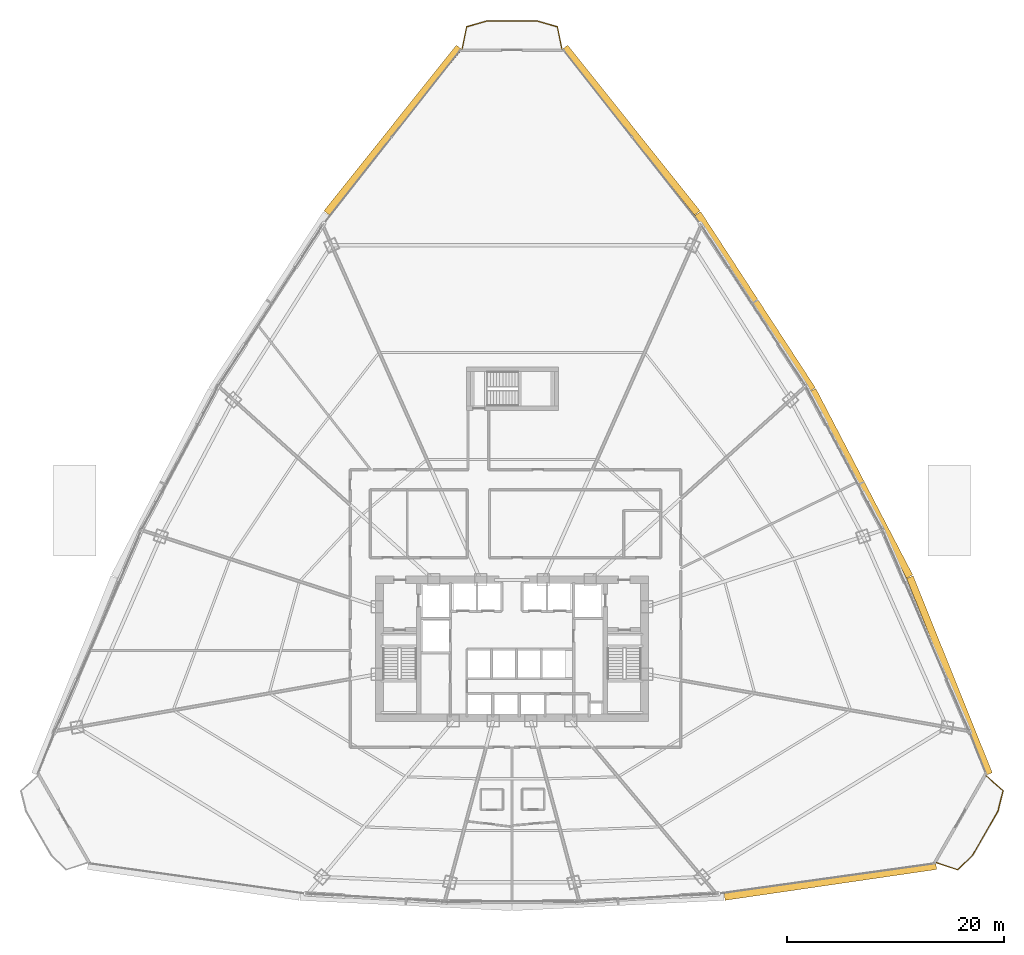
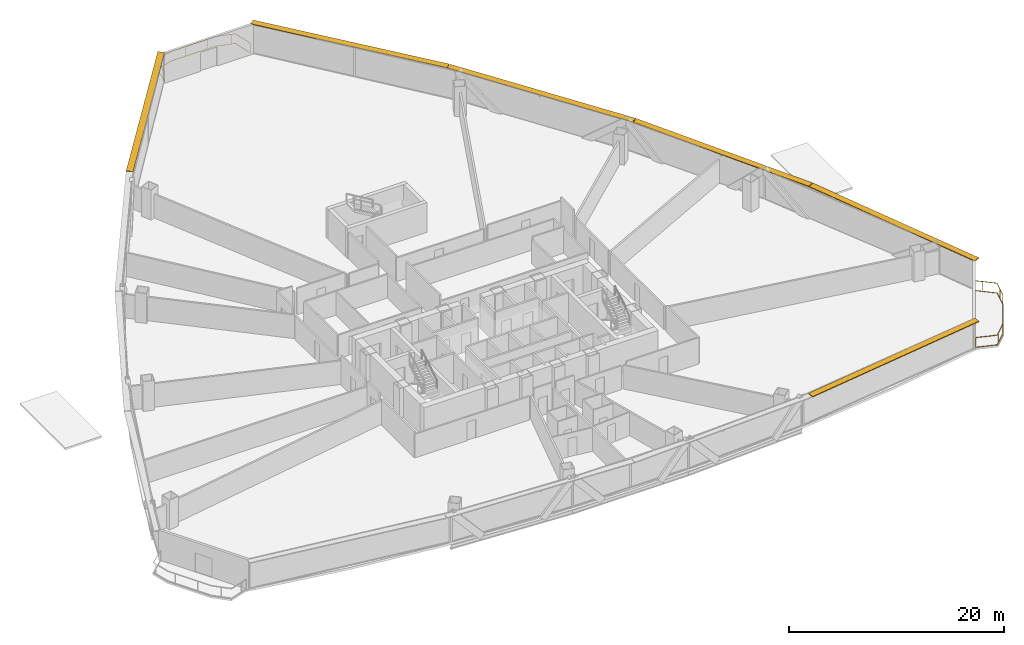
# One storey, part 38 of 38: 6 shading devices, 2 railings.
"""IFC4 building model written with IfcOpenShell, lengths in metres."""

from ifc_helpers import new_model, si_unit, direction, frame, origin, origin_2d, place, context, subcontext, project, spatial, rectangle, extrude, source, transform, mapped, material, layer, layer_set, type_object, element, save


model = new_model("IFC4")

# Units and contexts
model_context = context("Model", 3, precision=1e-05, world=origin(), true_north=direction((0.0, 1.0)))
body_context = subcontext(model_context, "Body", "Model", "MODEL_VIEW")
ifc_project = project(units=[si_unit("LENGTHUNIT", "METRE"), si_unit("AREAUNIT", "SQUARE_METRE"), si_unit("VOLUMEUNIT", "CUBIC_METRE"), si_unit("PLANEANGLEUNIT", "RADIAN"), si_unit("MASSUNIT", "GRAM", prefix="KILO"), si_unit("THERMODYNAMICTEMPERATUREUNIT", "KELVIN"), si_unit("POWERUNIT", "WATT")], contexts=[model_context])

# Site, building, storey
site_placement = place(None, origin())
site = spatial("IfcSite", under=ifc_project, at=site_placement, CompositionType="ELEMENT")
building_placement = place(site_placement, origin())
building = spatial("IfcBuilding", under=site, at=building_placement, Name="Yunzhuo Pagoda Commons", CompositionType="ELEMENT")
storey_placement = place(building_placement, frame((0.0, 0.0, 30.39990234375)))
storey = spatial("IfcBuildingStorey", under=building, at=storey_placement, Name="L07", CompositionType="ELEMENT", Elevation=30.39990234375)

# Railings
ifc_material = material(Name="Anodized aluminium 6063-T6", Category="aluminium")
railing_type = type_object("IfcRailingType", Name="RL-BAL1 Exterior Terrace & Balcony Balustrade 1150", PredefinedType="BALUSTRADE", material=ifc_material)
railing_1_placement = place(storey_placement, frame((87.0849609375, 14.16943359375, 0.0)))
element("IfcRailing", 1, at=railing_1_placement, inside=storey, type_object=railing_type, Name="L07 corner balcony balustrade V2", PredefinedType="BALUSTRADE", context=body_context, shape_type="SweptSolid", body=[
    extrude(rectangle(XDim=0.048095703125, YDim=0.048095703125, at=origin_2d()), frame((0.0, 0.0, 1.1259765625), z_axis=(0.947419062147, -0.319995501031, 0.0), x_axis=(0.319995501031, 0.947419062147, 0.0)), (0.0, 0.0, 1.0), 2.05908203125),
    extrude(rectangle(XDim=0.048095703125, YDim=0.048095703125, at=origin_2d()), frame((0.0, 0.0, 0.02392578125), z_axis=(0.947419062147, -0.319995501031, 0.0), x_axis=(0.319995501031, 0.947419062147, 0.0)), (0.0, 0.0, 1.0), 2.05908203125),
    extrude(rectangle(XDim=0.048095703125, YDim=0.048095703125, at=origin_2d()), frame((1.950927734375, -0.658935546875, 1.1259765625), z_axis=(0.716379924968, 0.697710400598, 0.0), x_axis=(-0.697710400598, 0.716379924968, 0.0)), (0.0, 0.0, 1.0), 1.935302734375),
    extrude(rectangle(XDim=0.048095703125, YDim=0.048095703125, at=origin_2d()), frame((1.950927734375, -0.658935546875, 0.02392578125), z_axis=(0.716379924968, 0.697710400598, 0.0), x_axis=(-0.697710400598, 0.716379924968, 0.0)), (0.0, 0.0, 1.0), 1.935302734375),
    extrude(rectangle(XDim=0.048095703125, YDim=0.048095703125, at=origin_2d()), frame((3.33740234375, 0.69140625, 1.1259765625), z_axis=(0.497917619796, 0.867224333086, 0.0), x_axis=(-0.867224333086, 0.497917619796, 0.0)), (0.0, 0.0, 1.0), 4.68310546875),
    extrude(rectangle(XDim=0.048095703125, YDim=0.048095703125, at=origin_2d()), frame((3.33740234375, 0.69140625, 0.02392578125), z_axis=(0.497917619796, 0.867224333086, 0.0), x_axis=(-0.867224333086, 0.497917619796, 0.0)), (0.0, 0.0, 1.0), 4.68310546875),
    extrude(rectangle(XDim=0.048095703125, YDim=0.048095703125, at=origin_2d()), frame((5.669189453125, 4.752685546875, 1.1259765625), z_axis=(0.241437285423, 0.970416424638, 0.0), x_axis=(-0.970416424638, 0.241437285423, 0.0)), (0.0, 0.0, 1.0), 1.935546875),
    extrude(rectangle(XDim=0.048095703125, YDim=0.048095703125, at=origin_2d()), frame((5.669189453125, 4.752685546875, 0.02392578125), z_axis=(0.241437285423, 0.970416424638, 0.0), x_axis=(-0.970416424638, 0.241437285423, 0.0)), (0.0, 0.0, 1.0), 1.935546875),
    extrude(rectangle(XDim=0.048095703125, YDim=0.048095703125, at=origin_2d()), frame((6.136474609375, 6.630859375, 1.1259765625), z_axis=(-0.753992555518, 0.656882962348, 0.0), x_axis=(-0.656882962348, -0.753992555518, 0.0)), (0.0, 0.0, 1.0), 2.05908203125),
    extrude(rectangle(XDim=0.048095703125, YDim=0.048095703125, at=origin_2d()), frame((6.136474609375, 6.630859375, 0.02392578125), z_axis=(-0.753992555518, 0.656882962348, 0.0), x_axis=(-0.656882962348, -0.753992555518, 0.0)), (0.0, 0.0, 1.0), 2.05908203125),
    extrude(rectangle(XDim=0.0419921875, YDim=0.0419921875, at=origin_2d()), origin(), (0.0, 0.0, 1.0), 1.101806640625),
    extrude(rectangle(XDim=0.0419921875, YDim=0.0419921875, at=origin_2d()), frame((2.195068359375, -0.421142578125, 0.0)), (0.0, 0.0, 1.0), 1.101806640625),
    extrude(rectangle(XDim=0.0419921875, YDim=0.0419921875, at=origin_2d()), frame((3.738525390625, 1.389892578125, 0.0)), (0.0, 0.0, 1.0), 1.101806640625),
    extrude(rectangle(XDim=0.0419921875, YDim=0.0419921875, at=origin_2d()), frame((4.933349609375, 3.47119140625, 0.0)), (0.0, 0.0, 1.0), 1.101806640625),
    extrude(rectangle(XDim=0.0419921875, YDim=0.0419921875, at=origin_2d()), frame((5.891845703125, 5.647705078125, 0.0)), (0.0, 0.0, 1.0), 1.101806640625),
    extrude(rectangle(XDim=0.0419921875, YDim=0.0419921875, at=origin_2d()), frame((5.0908203125, 7.5419921875, 0.0)), (0.0, 0.0, 1.0), 1.101806640625),
    extrude(rectangle(XDim=0.0419921875, YDim=0.0419921875, at=origin_2d()), frame((4.583984375, 7.9833984375, 0.0)), (0.0, 0.0, 1.0), 1.101806640625),
])
railing_2_placement = place(storey_placement, frame((52.58349609375, 89.11083984375, 0.0)))
element("IfcRailing", 2, at=railing_2_placement, inside=storey, type_object=railing_type, Name="L07 corner balcony balustrade V3", PredefinedType="BALUSTRADE", context=body_context, shape_type="SweptSolid", body=[
    extrude(rectangle(XDim=0.048095703125, YDim=0.048095703125, at=origin_2d()), frame((0.0, 0.0, 1.1259765625), z_axis=(-0.194200568098, 0.980961843983, 0.0), x_axis=(-0.980961843983, -0.194200568098, 0.0)), (0.0, 0.0, 1.0), 2.059326171875),
    extrude(rectangle(XDim=0.048095703125, YDim=0.048095703125, at=origin_2d()), frame((0.0, 0.0, 0.02392578125), z_axis=(-0.194200568098, 0.980961843983, 0.0), x_axis=(-0.980961843983, -0.194200568098, 0.0)), (0.0, 0.0, 1.0), 2.059326171875),
    extrude(rectangle(XDim=0.048095703125, YDim=0.048095703125, at=origin_2d()), frame((-0.39990234375, 2.02001953125, 1.1259765625), z_axis=(-0.961394700439, 0.275173090923, 0.0), x_axis=(-0.275173090923, -0.961394700439, 0.0)), (0.0, 0.0, 1.0), 1.92626953125),
    extrude(rectangle(XDim=0.048095703125, YDim=0.048095703125, at=origin_2d()), frame((-0.39990234375, 2.02001953125, 0.02392578125), z_axis=(-0.961394700439, 0.275173090923, 0.0), x_axis=(-0.275173090923, -0.961394700439, 0.0)), (0.0, 0.0, 1.0), 1.92626953125),
    extrude(rectangle(XDim=0.048095703125, YDim=0.048095703125, at=origin_2d()), frame((-2.251708984375, 2.550048828125, 1.1259765625), z_axis=(-1.0, 0.0, 0.0), x_axis=(0.0, -1.0, 0.0)), (0.0, 0.0, 1.0), 4.66357421875),
    extrude(rectangle(XDim=0.048095703125, YDim=0.048095703125, at=origin_2d()), frame((-2.251708984375, 2.550048828125, 0.02392578125), z_axis=(-1.0, 0.0, 0.0), x_axis=(0.0, -1.0, 0.0)), (0.0, 0.0, 1.0), 4.66357421875),
    extrude(rectangle(XDim=0.048095703125, YDim=0.048095703125, at=origin_2d()), frame((-6.915283203125, 2.550048828125, 1.1259765625), z_axis=(-0.961394700439, -0.275173090923, 0.0), x_axis=(0.275173090923, -0.961394700439, 0.0)), (0.0, 0.0, 1.0), 1.92626953125),
    extrude(rectangle(XDim=0.048095703125, YDim=0.048095703125, at=origin_2d()), frame((-6.915283203125, 2.550048828125, 0.02392578125), z_axis=(-0.961394700439, -0.275173090923, 0.0), x_axis=(0.275173090923, -0.961394700439, 0.0)), (0.0, 0.0, 1.0), 1.92626953125),
    extrude(rectangle(XDim=0.048095703125, YDim=0.048095703125, at=origin_2d()), frame((-8.76708984375, 2.02001953125, 1.1259765625), z_axis=(-0.194200568098, -0.980961843983, 0.0), x_axis=(0.980961843983, -0.194200568098, 0.0)), (0.0, 0.0, 1.0), 2.059326171875),
    extrude(rectangle(XDim=0.048095703125, YDim=0.048095703125, at=origin_2d()), frame((-8.76708984375, 2.02001953125, 0.02392578125), z_axis=(-0.194200568098, -0.980961843983, 0.0), x_axis=(0.980961843983, -0.194200568098, 0.0)), (0.0, 0.0, 1.0), 2.059326171875),
    extrude(rectangle(XDim=0.0419921875, YDim=0.0419921875, at=origin_2d()), origin(), (0.0, 0.0, 1.0), 1.101806640625),
    extrude(rectangle(XDim=0.0419921875, YDim=0.0419921875, at=origin_2d()), frame((-0.7275390625, 2.11376953125, 0.0)), (0.0, 0.0, 1.0), 1.101806640625),
    extrude(rectangle(XDim=0.0419921875, YDim=0.0419921875, at=origin_2d()), frame((-3.06640625, 2.550048828125, 0.0)), (0.0, 0.0, 1.0), 1.101806640625),
    extrude(rectangle(XDim=0.0419921875, YDim=0.0419921875, at=origin_2d()), frame((-5.46630859375, 2.550048828125, 0.0)), (0.0, 0.0, 1.0), 1.101806640625),
    extrude(rectangle(XDim=0.0419921875, YDim=0.0419921875, at=origin_2d()), frame((-7.82958984375, 2.288330078125, 0.0)), (0.0, 0.0, 1.0), 1.101806640625),
    extrude(rectangle(XDim=0.0419921875, YDim=0.0419921875, at=origin_2d()), frame((-9.043701171875, 0.622314453125, 0.0)), (0.0, 0.0, 1.0), 1.101806640625),
    extrude(rectangle(XDim=0.0419921875, YDim=0.0419921875, at=origin_2d()), frame((-9.1669921875, 0.0, 0.0)), (0.0, 0.0, 1.0), 1.101806640625),
])

# Shading devices
ifc_layer = layer(ifc_material, 0.080078125)
ifc_layer_set = layer_set([ifc_layer], Name="Anodized aluminium 6063-T6")
shading_device_type = type_object("IfcShadingDeviceType", Name="SH-SUN1 Pagoda Horizontal Sunshade Eave 650", PredefinedType="USERDEFINED", material=ifc_layer_set)
shared_shape_1 = source(origin(), body_context, "Body", "SweptSolid", [
    extrude(rectangle(XDim=19.689453125, YDim=0.64990234375, at=origin_2d()), origin(), (0.0, 0.0, 1.0), 0.080078125),
])
shading_device_placement = place(storey_placement, frame((77.318603515625, 12.4375, 3.2900390625), z_axis=(0.0, 0.0, 1.0), x_axis=(0.989510666697, 0.144459823108, 0.0)))
element("IfcShadingDevice", 3, at=shading_device_placement, inside=storey, type_object=shading_device_type, Name="L07 horizontal pagoda sunshade eave F1.4", ObjectType="SUNSHADE", PredefinedType="USERDEFINED", context=body_context, shape_type="MappedRepresentation", body=[
    mapped(shared_shape_1, transform((0.0, 0.0, 0.0), scale=1.0)),
])
shared_shape_2 = source(origin(), body_context, "Body", "SweptSolid", [
    extrude(rectangle(XDim=19.53125, YDim=0.64990234375, at=origin_2d()), origin(), (0.0, 0.0, 1.0), 0.080078125),
])
for number, where, z_axis, x_axis, name in (
    (4, (88.281494140625, 31.391357421875, 3.2900390625), (0.0, 0.0, 1.0), (-0.372987782576, 0.927836253899, 0.0), "L07 horizontal pagoda sunshade eave F2.1"),
    (5, (58.96240234375, 81.617919921875, 3.2900390625), (0.0, 0.0, 1.0), (-0.624520471688, 0.781008438138, 0.0), "L07 horizontal pagoda sunshade eave F2.4"),
    (6, (37.03759765625, 81.617919921875, 3.2900390625), (0.0, 0.0, 1.0), (-0.624520471688, -0.781008438138, 0.0), "L07 horizontal pagoda sunshade eave F3.1"),
):
    element("IfcShadingDevice", number, at=place(storey_placement, frame(where, z_axis=z_axis, x_axis=x_axis)), inside=storey, type_object=shading_device_type, Name=name, ObjectType="SUNSHADE", PredefinedType="USERDEFINED", context=body_context, shape_type="MappedRepresentation", body=[
        mapped(shared_shape_2, transform((0.0, 0.0, 0.0), scale=1.0)),
    ])
shared_shape_3 = source(origin(), body_context, "Body", "SweptSolid", [
    extrude(rectangle(XDim=19.345947265625, YDim=0.64990234375, at=origin_2d()), origin(), (0.0, 0.0, 1.0), 0.080078125),
])
for number, where, z_axis, x_axis, name in (
    (7, (80.1513671875, 49.09228515625, 3.2900390625), (0.0, 0.0, 1.0), (-0.461206683033, 0.88729273384, 0.0), "L07 horizontal pagoda sunshade eave F2.2"),
    (8, (70.378173828125, 65.834716796875, 3.2900390625), (0.0, 0.0, 1.0), (-0.545838756973, 0.837890238269, 0.0), "L07 horizontal pagoda sunshade eave F2.3"),
):
    element("IfcShadingDevice", number, at=place(storey_placement, frame(where, z_axis=z_axis, x_axis=x_axis)), inside=storey, type_object=shading_device_type, Name=name, ObjectType="SUNSHADE", PredefinedType="USERDEFINED", context=body_context, shape_type="MappedRepresentation", body=[
        mapped(shared_shape_3, transform((0.0, 0.0, 0.0), scale=1.0)),
    ])

save(model, "model.ifc")
